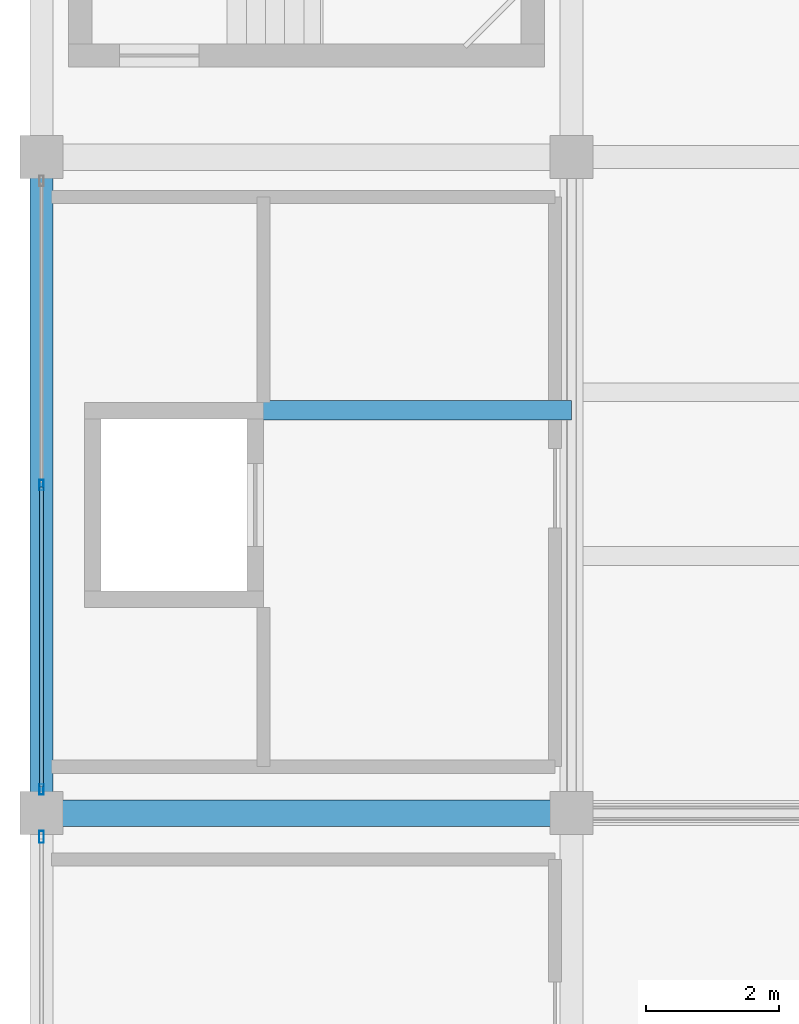
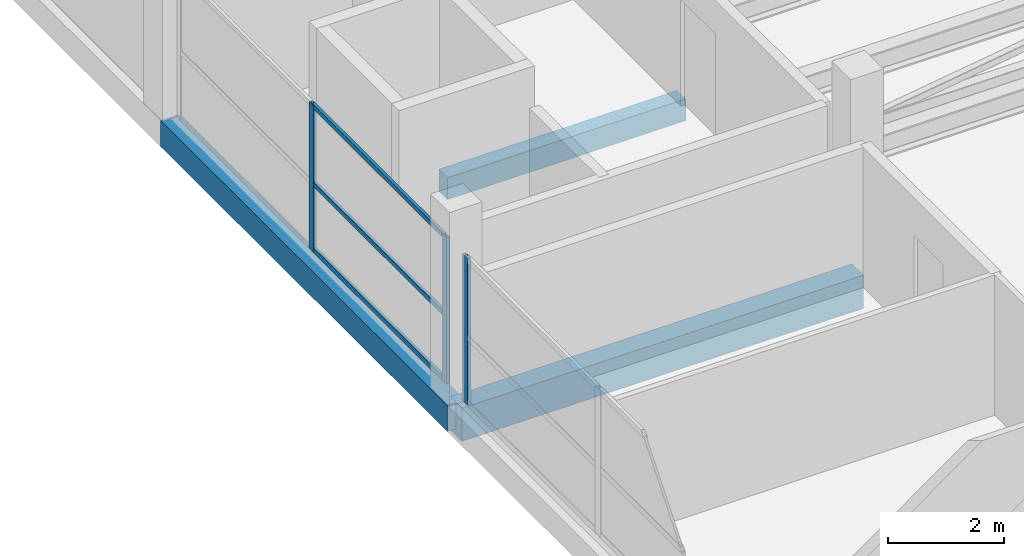
# One storey, part 29 of 70: 6 members, 3 beams, 2 elements without a shape of their own.
"""IFC4 building model written with IfcOpenShell, lengths in metres."""

from ifc_helpers import new_model, si_unit, direction, frame, origin, origin_2d, place, context, subcontext, project, spatial, rectangle, hollow_rectangle, extrude, material, layer, layer_set, material_profile, profile_set, type_object, element, aggregate, save


model = new_model("IFC4")

# Units and contexts
model_context = context("Model", 3, precision=1e-05, world=origin(), true_north=direction((0.0, 1.0)))
body_context = subcontext(model_context, "Body", "Model", "MODEL_VIEW")
ifc_project = project(units=[si_unit("LENGTHUNIT", "METRE"), si_unit("AREAUNIT", "SQUARE_METRE"), si_unit("VOLUMEUNIT", "CUBIC_METRE"), si_unit("PLANEANGLEUNIT", "RADIAN"), si_unit("MASSUNIT", "GRAM", prefix="KILO")], contexts=[model_context])

# Site, building, storey
site_placement = place(None, origin())
site = spatial("IfcSite", under=ifc_project, at=site_placement, CompositionType="ELEMENT")
building_placement = place(site_placement, origin())
building = spatial("IfcBuilding", under=site, at=building_placement, Name="Sillaruma Civic Art Gallery", CompositionType="ELEMENT")
storey_placement = place(building_placement, frame((0.0, 0.0, 66.300048828125)))
storey = spatial("IfcBuildingStorey", under=building, at=storey_placement, Name="L13", CompositionType="ELEMENT", Elevation=66.300048828125)

# Beams
ifc_material_1 = material(Name="Concrete H35 (35 MPa)", Category="concrete")
ifc_material_profile_1 = material_profile(ifc_material_1, rectangle(XDim=0.39990234375, YDim=0.699951171875, at=origin_2d()), Name="RCB400x700")
ifc_profile_set_1 = profile_set([ifc_material_profile_1], Name="Concrete H35 (35 MPa)")
beam_type_1 = type_object("IfcBeamType", Name="BM-BEAM-RCB400x700", PredefinedType="BEAM", material=ifc_profile_set_1)
beam_1_placement = place(storey_placement, frame((62.0, 69.300048828125, -0.580078125), z_axis=(1.0, 0.0, 0.0), x_axis=(0.0, 1.0, 0.0)))
element("IfcBeam", 1, at=beam_1_placement, inside=storey, type_object=beam_type_1, Name="Beam BM-04 (L12:8:F-G)", PredefinedType="BEAM", context=body_context, shape_type="SweptSolid", body=[
    extrude(rectangle(XDim=0.39990234375, YDim=0.699951171875, at=origin_2d()), origin(), (0.0, 0.0, 1.0), 8.0),
])
ifc_material_profile_2 = material_profile(ifc_material_1, rectangle(XDim=0.300048828125, YDim=0.4599609375, at=origin_2d()), Name="RCB300x460")
ifc_profile_set_2 = profile_set([ifc_material_profile_2], Name="Concrete H35 (35 MPa)")
beam_type_2 = type_object("IfcBeamType", Name="BM-LINTEL-RCB300x460", PredefinedType="LINTEL", material=ifc_profile_set_2)
beam_2_placement = place(storey_placement, frame((65.25, 75.3798828125, -0.4599609375), z_axis=(1.0, 0.0, 0.0), x_axis=(0.0, 1.0, 0.0)))
element("IfcBeam", 2, at=beam_2_placement, inside=storey, type_object=beam_type_2, Name="Core Portal Coupling Lintel BL-01 (L12:FFL)", PredefinedType="LINTEL", context=body_context, shape_type="SweptSolid", body=[
    extrude(rectangle(XDim=0.300048828125, YDim=0.4599609375, at=origin_2d()), origin(), (0.0, 0.0, 1.0), 4.75),
])
ifc_material_profile_3 = material_profile(ifc_material_1, rectangle(XDim=0.35009765625, YDim=0.550048828125, at=origin_2d()), Name="RCB350x550")
ifc_profile_set_3 = profile_set([ifc_material_profile_3], Name="Concrete H35 (35 MPa)")
beam_type_3 = type_object("IfcBeamType", Name="BM-SPANDREL-RCB350x550", PredefinedType="SPANDREL", material=ifc_profile_set_3)
beam_3_placement = place(storey_placement, frame((62.0, 69.300048828125, -0.505126953125), z_axis=(0.0, 1.0, 0.0), x_axis=(-1.0, 0.0, 0.0)))
element("IfcBeam", 3, at=beam_3_placement, inside=storey, type_object=beam_type_3, Name="Beam BS-04 (L12:F:8-9)", PredefinedType="SPANDREL", context=body_context, shape_type="SweptSolid", body=[
    extrude(rectangle(XDim=0.35009765625, YDim=0.550048828125, at=origin_2d()), origin(), (0.0, 0.0, 1.0), 9.89990234375),
])

# Curtain wall, members
ifc_material_2 = material(Name="Thermally Broken Extruded Aluminium 6063-T6", Category="aluminium")
ifc_layer_1 = layer(ifc_material_2, 0.159912109375, Name="Thermally Broken Extruded Aluminium 6063-T6")
ifc_layer_set_1 = layer_set([ifc_layer_1], Name="Thermally Broken Extruded Aluminium 6063-T6")
curtain_wall_type_1 = type_object("IfcCurtainWallType", Name="CW-UNI-94", PredefinedType="NOTDEFINED", material=ifc_layer_set_1)
curtain_wall_1_placement = place(storey_placement, origin())
curtain_wall_1 = element("IfcCurtainWall", 4, at=curtain_wall_1_placement, inside=storey, type_object=curtain_wall_type_1, Name="Unitised Curtain Wall CW-94 (CW-L13-WBW-6)", PredefinedType="NOTDEFINED")
ifc_material_profile_4 = material_profile(ifc_material_2, hollow_rectangle(XDim=0.06494140625, YDim=0.159912109375, WallThickness=0.00390625, at=origin_2d()), Name="CWM65x160")
ifc_profile_set_4 = profile_set([ifc_material_profile_4], Name="Thermally Broken Extruded Aluminium 6063-T6")
member_type_1 = type_object("IfcMemberType", Name="MEM-MUL-CWM65x160", PredefinedType="MULLION", material=ifc_profile_set_4)
member_1_placement = place(storey_placement, frame((62.0, 69.657470703125, 0.0), z_axis=(0.0, 0.0, 1.0), x_axis=(-1.0, 0.0, 0.0)))
member_1 = element("IfcMember", 5, at=member_1_placement, type_object=member_type_1, Name="CW-94 mullion 1", PredefinedType="MULLION", context=body_context, shape_type="SweptSolid", body=[
    extrude(hollow_rectangle(XDim=0.06494140625, YDim=0.159912109375, WallThickness=0.00390625, at=origin_2d()), origin(), (0.0, 0.0, 1.0), 3.079833984375),
])
member_2_placement = place(storey_placement, frame((62.0, 74.25, 0.0), z_axis=(0.0, 0.0, 1.0), x_axis=(-1.0, 0.0, 0.0)))
member_2 = element("IfcMember", 6, at=member_2_placement, type_object=member_type_1, Name="CW-94 mullion 2", PredefinedType="MULLION", context=body_context, shape_type="SweptSolid", body=[
    extrude(hollow_rectangle(XDim=0.06494140625, YDim=0.159912109375, WallThickness=0.00390625, at=origin_2d()), origin(), (0.0, 0.0, 1.0), 3.079833984375),
])

# Curtain wall, member
ifc_layer_2 = layer(ifc_material_2, 0.179931640625, Name="Thermally Broken Extruded Aluminium 6063-T6")
ifc_layer_set_2 = layer_set([ifc_layer_2], Name="Thermally Broken Extruded Aluminium 6063-T6")
curtain_wall_type_2 = type_object("IfcCurtainWallType", Name="CW-UNI-92", PredefinedType="NOTDEFINED", material=ifc_layer_set_2)
curtain_wall_2_placement = place(storey_placement, origin())
curtain_wall_2 = element("IfcCurtainWall", 7, at=curtain_wall_2_placement, inside=storey, type_object=curtain_wall_type_2, Name="Unitised Curtain Wall CW-92 (CW-L13-WBW-5)", PredefinedType="NOTDEFINED")
ifc_material_profile_5 = material_profile(ifc_material_2, hollow_rectangle(XDim=0.070068359375, YDim=0.179931640625, WallThickness=0.00390625, at=origin_2d()), Name="CWM70x180")
ifc_profile_set_5 = profile_set([ifc_material_profile_5], Name="Thermally Broken Extruded Aluminium 6063-T6")
member_type_2 = type_object("IfcMemberType", Name="MEM-MUL-CWM70x180", PredefinedType="MULLION", material=ifc_profile_set_5)
member_3_placement = place(storey_placement, frame((62.0, 68.93994140625, 0.0), z_axis=(0.0, 0.0, 1.0), x_axis=(-1.0, 0.0, 0.0)))
member_3 = element("IfcMember", 8, at=member_3_placement, type_object=member_type_2, Name="CW-92 mullion 3", PredefinedType="MULLION", context=body_context, shape_type="SweptSolid", body=[
    extrude(hollow_rectangle(XDim=0.070068359375, YDim=0.179931640625, WallThickness=0.00390625, at=origin_2d()), origin(), (0.0, 0.0, 1.0), 3.079833984375),
])
aggregate(curtain_wall_2, [member_3])

# Member
ifc_material_profile_6 = material_profile(ifc_material_2, hollow_rectangle(XDim=0.06005859375, YDim=0.10009765625, WallThickness=0.003173828125, at=origin_2d()), Name="CWT60x100")
ifc_profile_set_6 = profile_set([ifc_material_profile_6], Name="Thermally Broken Extruded Aluminium 6063-T6")
member_type_3 = type_object("IfcMemberType", Name="MEM-TRN-CWT60x100", PredefinedType="USERDEFINED", material=ifc_profile_set_6)
member_4_placement = place(storey_placement, frame((62.0, 69.68994140625, 0.030029296875), z_axis=(0.0, 1.0, 0.0), x_axis=(-1.0, 0.0, 0.0)))
member_4 = element("IfcMember", 9, at=member_4_placement, type_object=member_type_3, Name="CW-94 transom 1.1", ObjectType="TRANSOM", PredefinedType="USERDEFINED", context=body_context, shape_type="SweptSolid", body=[
    extrude(hollow_rectangle(XDim=0.06005859375, YDim=0.10009765625, WallThickness=0.003173828125, at=origin_2d()), origin(), (0.0, 0.0, 1.0), 4.527587890625),
])

member_5_placement = place(storey_placement, frame((62.0, 69.68994140625, 1.416748046875), z_axis=(0.0, 1.0, 0.0), x_axis=(-1.0, 0.0, 0.0)))
member_5 = element("IfcMember", 10, at=member_5_placement, type_object=member_type_3, Name="CW-94 transom 1.2", ObjectType="TRANSOM", PredefinedType="USERDEFINED", context=body_context, shape_type="SweptSolid", body=[
    extrude(hollow_rectangle(XDim=0.06005859375, YDim=0.10009765625, WallThickness=0.003173828125, at=origin_2d()), origin(), (0.0, 0.0, 1.0), 4.527587890625),
])

member_6_placement = place(storey_placement, frame((62.0, 69.68994140625, 3.050048828125), z_axis=(0.0, 1.0, 0.0), x_axis=(-1.0, 0.0, 0.0)))
member_6 = element("IfcMember", 11, at=member_6_placement, type_object=member_type_3, Name="CW-94 transom 1.3", ObjectType="TRANSOM", PredefinedType="USERDEFINED", context=body_context, shape_type="SweptSolid", body=[
    extrude(hollow_rectangle(XDim=0.06005859375, YDim=0.10009765625, WallThickness=0.003173828125, at=origin_2d()), origin(), (0.0, 0.0, 1.0), 4.527587890625),
])

aggregate(curtain_wall_1, [member_1, member_2, member_4, member_5, member_6])

save(model, "model.ifc")
